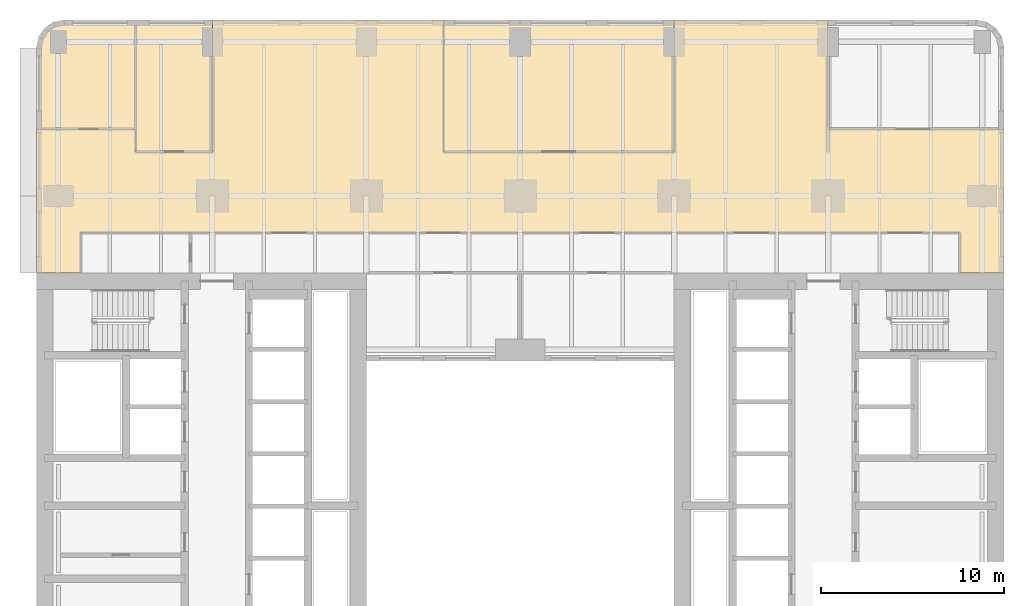
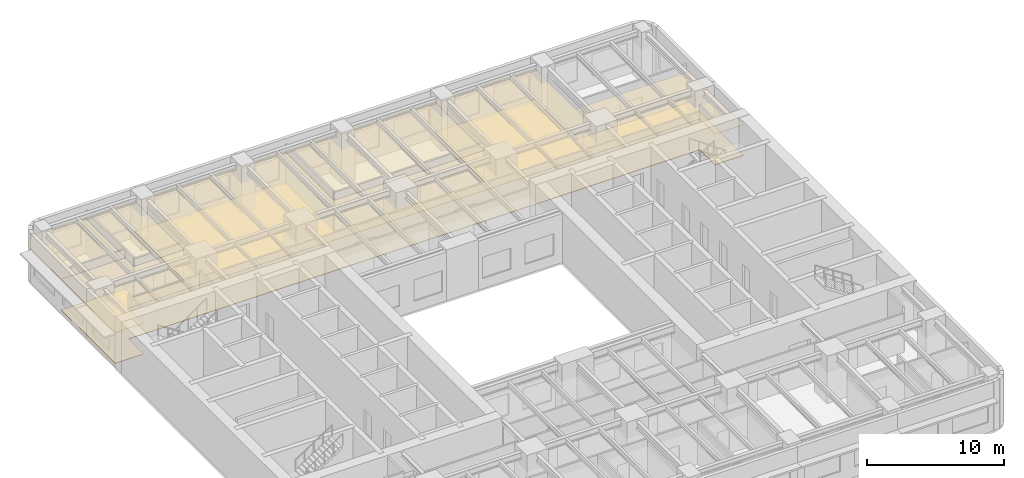
# One storey, part 13 of 14: 5 coverings.
"""IFC4 building model written with IfcOpenShell, lengths in metres."""

import ifcopenshell
import ifcopenshell.guid

model = None  # the IFC model being written
_history = None  # IfcOwnerHistory: only IFC2X3 demands one
_inside = {}  # id of a spatial element -> (the spatial element, [elements in it])
_under = {}  # id of a project, library or spatial element -> (it, [spatial elements below it])
_declared = {}  # id of a project -> (the project, [libraries it declares])
_typed = {}  # id of a type object -> (the type object, [elements of that type])
_made_of = {}  # id of a material, layer set ... -> (it, [elements and type objects made of it])


def new_model(schema):
    """Start an empty IFC model of exactly this schema.

    Asked for "IFC4X3", IfcOpenShell would pick the latest addendum, in which some entities
    have other attributes; the version numbers below select the first issue.
    IFC2X3 requires an IfcOwnerHistory on every rooted entity: one is made here for all.
    """
    global model, _history
    if schema == "IFC4X3":
        model = ifcopenshell.file(schema_version=(4, 3, 0, 0))
    else:
        model = ifcopenshell.file(schema=schema)
    _inside.clear()
    _under.clear()
    _declared.clear()
    _typed.clear()
    _made_of.clear()
    _history = None
    if model.schema == "IFC2X3":
        org = make("IfcOrganization", Name="unknown")
        user = make(
            "IfcPersonAndOrganization",
            ThePerson=make("IfcPerson", FamilyName="unknown"),
            TheOrganization=org,
        )
        app = make(
            "IfcApplication",
            ApplicationDeveloper=org,
            Version="unknown",
            ApplicationFullName="unknown",
            ApplicationIdentifier="unknown",
        )
        _history = make(
            "IfcOwnerHistory",
            OwningUser=user,
            OwningApplication=app,
            ChangeAction="ADDED",
            CreationDate=0,
        )
    return model


def make(cls, **values):
    """One entity of the class cls with the attributes given. An attribute that is None is left unset."""
    return model.create_entity(
        cls, **{name: value for name, value in values.items() if value is not None}
    )


def rooted(cls, **values):
    """An entity with a GlobalId (a new one), such as an element, a storey or a relation."""
    return make(cls, GlobalId=ifcopenshell.guid.new(), OwnerHistory=_history, **values)


def si_unit(unit_type, name, prefix=None):
    """IfcSIUnit, for example si_unit("LENGTHUNIT", "METRE", prefix="MILLI")."""
    return make("IfcSIUnit", UnitType=unit_type, Prefix=prefix, Name=name)


def assignment(units):
    """IfcUnitAssignment: the units of a project."""
    return None if units is None else make("IfcUnitAssignment", Units=units)


def point(xyz):
    """IfcCartesianPoint."""
    return None if xyz is None else make("IfcCartesianPoint", Coordinates=xyz)


def direction(xyz):
    """IfcDirection."""
    return None if xyz is None else make("IfcDirection", DirectionRatios=xyz)


def frame(location, z_axis=None, x_axis=None):
    """IfcAxis2Placement3D, a coordinate frame: its origin and axes. An axis left out is left unset."""
    return make(
        "IfcAxis2Placement3D",
        Location=point(location),
        Axis=direction(z_axis),
        RefDirection=direction(x_axis),
    )


def origin():
    """The frame at (0, 0, 0) with its axes left unset."""
    return frame((0.0, 0.0, 0.0))


def place(relative_to, where):
    """IfcLocalPlacement: puts the frame where relative to a parent placement (None: the world)."""
    return make(
        "IfcLocalPlacement", PlacementRelTo=relative_to, RelativePlacement=where
    )


def context(
    kind, dimensions, precision=None, world=None, true_north=None, identifier=None
):
    """IfcGeometricRepresentationContext, for example the 3D "Model" context."""
    return make(
        "IfcGeometricRepresentationContext",
        ContextIdentifier=identifier,
        ContextType=kind,
        CoordinateSpaceDimension=dimensions,
        Precision=precision,
        WorldCoordinateSystem=world,
        TrueNorth=true_north,
    )


def subcontext(parent, identifier, kind, view, scale=None):
    """IfcGeometricRepresentationSubContext, for example "Body" below "Model"."""
    return make(
        "IfcGeometricRepresentationSubContext",
        ContextIdentifier=identifier,
        ContextType=kind,
        ParentContext=parent,
        TargetScale=scale,
        TargetView=view,
    )


def project(units=None, contexts=None):
    """IfcProject with its units and contexts."""
    return rooted(
        "IfcProject",
        Name="project",
        RepresentationContexts=contexts,
        UnitsInContext=assignment(units),
    )


def spatial(cls, under=None, at=None, **own):
    """A site, building, storey or space (cls), placed at a placement, below another one or the project."""
    s = rooted(cls, ObjectPlacement=at, **own)
    if under is not None:
        _under.setdefault(under.id(), (under, []))[1].append(s)
    return s


def polyline(points):
    """IfcPolyline through the points."""
    return make("IfcPolyline", Points=[point(p) for p in points])


def outline(outer, holes=None, kind="AREA"):
    """IfcArbitraryClosedProfileDef: a profile drawn as a closed curve; with holes, ...WithVoids."""
    if holes is None:
        return make("IfcArbitraryClosedProfileDef", ProfileType=kind, OuterCurve=outer)
    return make(
        "IfcArbitraryProfileDefWithVoids",
        ProfileType=kind,
        OuterCurve=outer,
        InnerCurves=holes,
    )


def extrude(swept, where, along, depth):
    """IfcExtrudedAreaSolid: the profile swept, set in the frame where, extruded along a direction by depth."""
    return make(
        "IfcExtrudedAreaSolid",
        SweptArea=swept,
        Position=where,
        ExtrudedDirection=direction(along),
        Depth=depth,
    )


def shape(context_of_items, identifier, shape_type, items):
    """IfcShapeRepresentation: the items that make up one representation, for example the "Body"."""
    return make(
        "IfcShapeRepresentation",
        ContextOfItems=context_of_items,
        RepresentationIdentifier=identifier,
        RepresentationType=shape_type,
        Items=items,
    )


def material(Name=None, Category=None):
    """IfcMaterial."""
    return make("IfcMaterial", Name=Name, Category=Category)


def layer(
    of_material, thickness, ventilated=None, Name=None, Category=None, Priority=None
):
    """IfcMaterialLayer: one layer of a wall or slab, of a material (None: an air gap)."""
    return make(
        "IfcMaterialLayer",
        Material=of_material,
        LayerThickness=thickness,
        IsVentilated=ventilated,
        Name=Name,
        Category=Category,
        Priority=Priority,
    )


def layer_set(layers, Name=None):
    """IfcMaterialLayerSet."""
    return make("IfcMaterialLayerSet", MaterialLayers=layers, LayerSetName=Name)


def made_of(thing, what):
    """Note that an element or type object is made of a material, layer set ...; save() writes the relation."""
    if what is not None:
        _made_of.setdefault(what.id(), (what, []))[1].append(thing)
    return thing


def type_object(cls, material=None, **own):
    """A type object (cls), such as IfcWallType, which elements share."""
    return made_of(rooted(cls, **own), material)


def element(
    cls,
    number,
    at=None,
    inside=None,
    cuts=None,
    type_object=None,
    material=None,
    context=None,
    identifier="Body",
    shape_type=None,
    held_by="IfcProductDefinitionShape",
    body=None,
    shapes=None,
    **own,
):
    """One element of the class cls, such as IfcWall. Its Tag is "e" and its number.

    at: its placement. inside: the storey or other place that contains it. cuts: it is an
    opening in that element (IfcRelVoidsElement). A single representation is given by context,
    identifier, shape_type and body (its items); several are given by shapes. held_by: the class
    of the entity that holds the representations. save() writes the other relations.
    """
    e = rooted(cls, Tag="e%d" % number, ObjectPlacement=at, **own)
    if body is not None:
        shapes = [shape(context, identifier, shape_type, body)]
    if shapes is not None:
        e.Representation = make(held_by, Representations=shapes)
    if inside is not None:
        _inside.setdefault(inside.id(), (inside, []))[1].append(e)
    if cuts is not None:
        rooted(
            "IfcRelVoidsElement", RelatingBuildingElement=cuts, RelatedOpeningElement=e
        )
    if type_object is not None:
        _typed.setdefault(type_object.id(), (type_object, []))[1].append(e)
    return made_of(e, material)


def aggregate(whole, parts):
    """IfcRelAggregates: a whole, such as a stair, and the parts it consists of."""
    return rooted("IfcRelAggregates", RelatingObject=whole, RelatedObjects=parts)


def save(model, path):
    """Write the relations noted so far, then the file.

    IfcRelAggregates (storeys below a building ...), IfcRelContainedInSpatialStructure (elements
    in a storey), IfcRelDefinesByType, IfcRelAssociatesMaterial and IfcRelDeclares: one each for
    every whole, place, type object, material and project.
    """
    for whole, parts in _under.values():
        aggregate(whole, parts)
    for where, things in _inside.values():
        rooted(
            "IfcRelContainedInSpatialStructure",
            RelatedElements=things,
            RelatingStructure=where,
        )
    for kind, things in _typed.values():
        rooted("IfcRelDefinesByType", RelatedObjects=things, RelatingType=kind)
    for what, things in _made_of.values():
        rooted("IfcRelAssociatesMaterial", RelatedObjects=things, RelatingMaterial=what)
    for by, libraries in _declared.values():
        rooted("IfcRelDeclares", RelatingContext=by, RelatedDefinitions=libraries)
    model.write(path)


model = new_model("IFC4")

# Units and contexts
model_context = context("Model", 3, precision=1e-05, world=origin(), true_north=direction((0.0, 1.0)))
body_context = subcontext(model_context, "Body", "Model", "MODEL_VIEW")
ifc_project = project(units=[si_unit("LENGTHUNIT", "METRE"), si_unit("AREAUNIT", "SQUARE_METRE"), si_unit("VOLUMEUNIT", "CUBIC_METRE"), si_unit("PLANEANGLEUNIT", "RADIAN"), si_unit("MASSUNIT", "GRAM", prefix="KILO")], contexts=[model_context])

# Site, building, storey
site_placement = place(None, origin())
site = spatial("IfcSite", under=ifc_project, at=site_placement, CompositionType="ELEMENT")
building_placement = place(site_placement, origin())
building = spatial("IfcBuilding", under=site, at=building_placement, Name="Claustro Exchange Tower", CompositionType="ELEMENT")
storey_placement = place(building_placement, frame((0.0, 0.0, 59.39990234375)))
storey = spatial("IfcBuildingStorey", under=building, at=storey_placement, Name="L13", CompositionType="ELEMENT", Elevation=59.39990234375)

# Coverings
ifc_material_1 = material(Name="Gypsum board ceiling", Category="gypsum board")
ifc_layer_1 = layer(ifc_material_1, 0.02490234375)
ifc_layer_set_1 = layer_set([ifc_layer_1], Name="Gypsum board ceiling")
covering_type_1 = type_object("IfcCoveringType", Name="CL2 plasterboard ceiling", PredefinedType="CEILING", material=ifc_layer_set_1)
covering_1_placement = place(storey_placement, frame((0.0, 0.0, 3.0)))
element("IfcCovering", 1, at=covering_1_placement, inside=storey, type_object=covering_type_1, Name="Ceiling CL2 L13-17", PredefinedType="CEILING", context=body_context, shape_type="SweptSolid", body=[
    extrude(outline(polyline([(-1.199951171875, 45.64990234375), (-1.199951171875, 37.800048828125), (1.199951171875, 37.800048828125), (1.199951171875, 40.0), (7.199951171875, 40.0), (49.199951171875, 40.0), (49.199951171875, 37.800048828125), (51.60009765625, 37.800048828125), (51.60009765625, 45.64990234375), (42.0, 45.64990234375), (42.0, 51.60009765625), (33.60009765625, 51.60009765625), (33.60009765625, 44.39990234375), (21.0, 44.39990234375), (21.0, 51.60009765625), (8.39990234375, 51.60009765625), (8.39990234375, 44.39990234375), (4.199951171875, 44.39990234375), (4.199951171875, 45.64990234375), (-1.199951171875, 45.64990234375)])), origin(), (0.0, 0.0, 1.0), 0.025146484375),
])
covering_2_placement = place(storey_placement, frame((0.0, 0.0, 3.0)))
element("IfcCovering", 2, at=covering_2_placement, inside=storey, type_object=covering_type_1, Name="Ceiling CL2 L13-18", PredefinedType="CEILING", context=body_context, shape_type="SweptSolid", body=[
    extrude(outline(polyline([(8.39990234375, 51.60009765625), (4.199951171875, 51.60009765625), (4.199951171875, 44.39990234375), (8.39990234375, 44.39990234375), (8.39990234375, 51.60009765625)])), origin(), (0.0, 0.0, 1.0), 0.025146484375),
])
covering_3_placement = place(storey_placement, frame((0.0, 0.0, 3.0)))
element("IfcCovering", 3, at=covering_3_placement, inside=storey, type_object=covering_type_1, Name="Ceiling CL2 L13-19", PredefinedType="CEILING", context=body_context, shape_type="SweptSolid", body=[
    extrude(outline(polyline([(33.60009765625, 51.60009765625), (21.0, 51.60009765625), (21.0, 44.39990234375), (33.60009765625, 44.39990234375), (33.60009765625, 51.60009765625)])), origin(), (0.0, 0.0, 1.0), 0.025146484375),
])
covering_4_placement = place(storey_placement, frame((0.0, 0.0, 3.0)))
element("IfcCovering", 4, at=covering_4_placement, inside=storey, type_object=covering_type_1, Name="Ceiling CL2 L13-20", PredefinedType="CEILING", context=body_context, shape_type="SweptSolid", body=[
    extrude(outline(polyline([(-1.199951171875, 50.10009765625), (-1.199951171875, 45.64990234375), (4.199951171875, 45.64990234375), (4.199951171875, 51.60009765625), (0.300048828125, 51.60009765625), (-0.27392578125, 51.48583984375), (-0.7607421875, 51.16064453125), (-1.085693359375, 50.674072265625), (-1.199951171875, 50.10009765625)])), origin(), (0.0, 0.0, 1.0), 0.025146484375),
])
ifc_material_2 = material(Name="Steel-encased raised floor panels on pedestals", Category="steel")
ifc_layer_2 = layer(ifc_material_2, 0.0400390625)
ifc_layer_set_2 = layer_set([ifc_layer_2], Name="Steel-encased raised floor panels on pedestals")
covering_type_2 = type_object("IfcCoveringType", Name="RF1 300 raised access floor", PredefinedType="FLOORING", material=ifc_layer_set_2)
covering_5_placement = place(storey_placement, frame((0.0, 0.0, 0.260009765625)))
element("IfcCovering", 5, at=covering_5_placement, inside=storey, type_object=covering_type_2, Name="Raised access floor RF1 L13-17", PredefinedType="FLOORING", context=body_context, shape_type="SweptSolid", body=[
    extrude(outline(polyline([(-1.199951171875, 45.64990234375), (-1.199951171875, 37.800048828125), (1.199951171875, 37.800048828125), (1.199951171875, 40.0), (7.199951171875, 40.0), (49.199951171875, 40.0), (49.199951171875, 37.800048828125), (51.60009765625, 37.800048828125), (51.60009765625, 45.64990234375), (42.0, 45.64990234375), (42.0, 51.60009765625), (33.60009765625, 51.60009765625), (33.60009765625, 44.39990234375), (21.0, 44.39990234375), (21.0, 51.60009765625), (8.39990234375, 51.60009765625), (8.39990234375, 44.39990234375), (4.199951171875, 44.39990234375), (4.199951171875, 45.64990234375), (-1.199951171875, 45.64990234375)])), origin(), (0.0, 0.0, 1.0), 0.0400390625),
])

save(model, "model.ifc")
